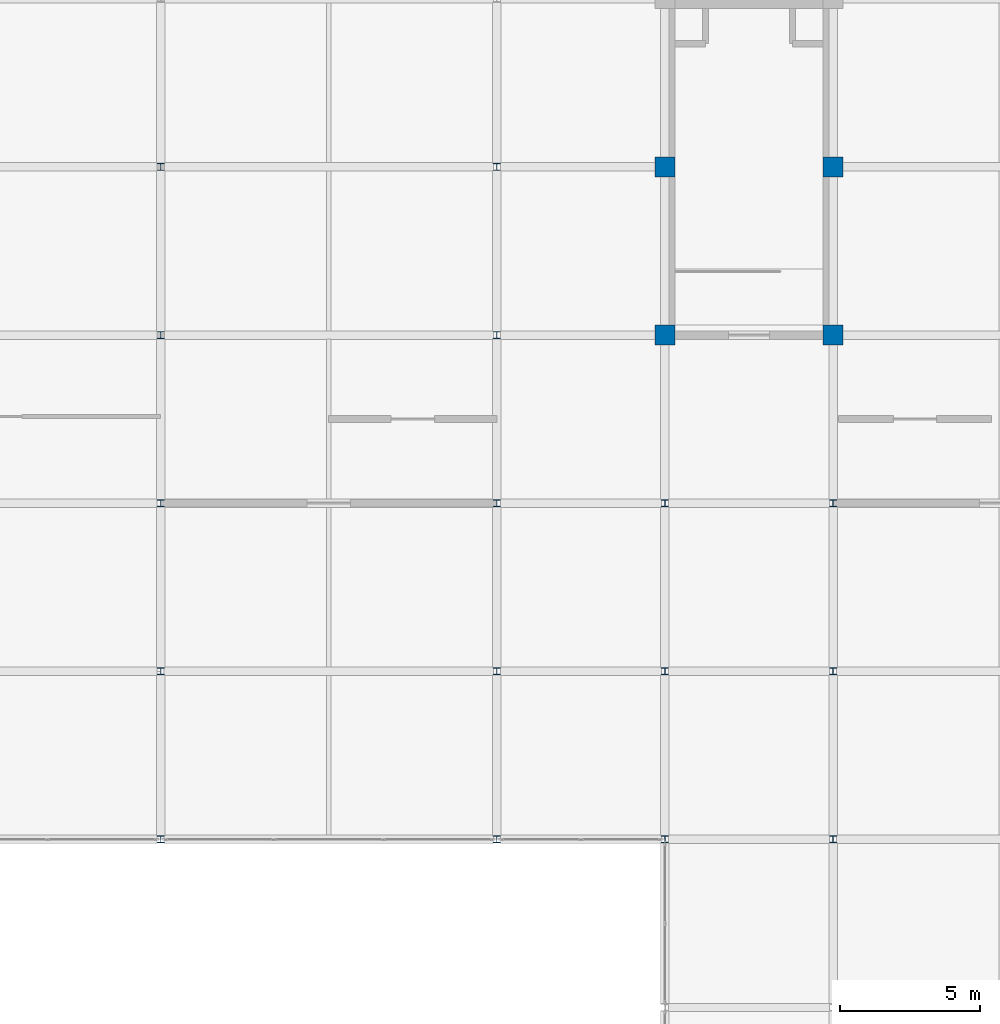
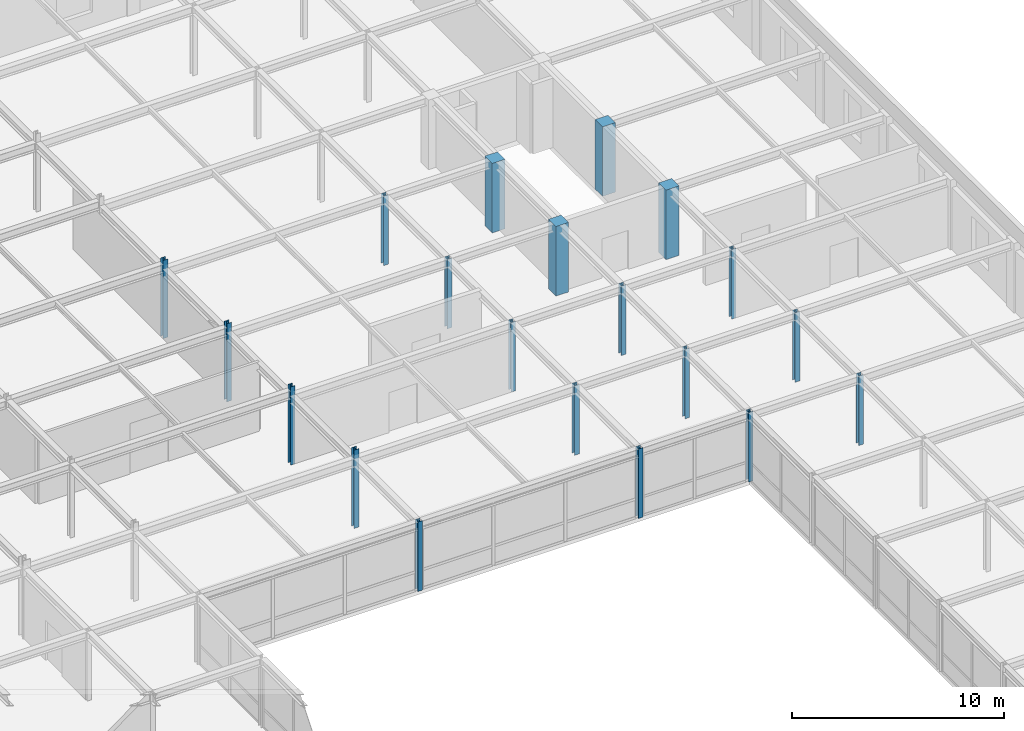
# One storey, part 25 of 111: 20 columns.
"""IFC4 building model written with IfcOpenShell, lengths in metres."""

from ifc_helpers import new_model, si_unit, direction, frame, origin, origin_2d, place, context, subcontext, project, spatial, rectangle, i_section, extrude, material, material_profile, profile_set, type_object, element, save


model = new_model("IFC4")

# Units and contexts
model_context = context("Model", 3, precision=1e-05, world=origin(), true_north=direction((0.0, 1.0)))
body_context = subcontext(model_context, "Body", "Model", "MODEL_VIEW")
ifc_project = project(units=[si_unit("LENGTHUNIT", "METRE"), si_unit("AREAUNIT", "SQUARE_METRE"), si_unit("VOLUMEUNIT", "CUBIC_METRE"), si_unit("PLANEANGLEUNIT", "RADIAN"), si_unit("MASSUNIT", "GRAM", prefix="KILO")], contexts=[model_context])

# Site, building, storey
site_placement = place(None, origin())
site = spatial("IfcSite", under=ifc_project, at=site_placement, CompositionType="ELEMENT")
building_placement = place(site_placement, origin())
building = spatial("IfcBuilding", under=site, at=building_placement, Name="Zlatovratsky Civic Hall", CompositionType="ELEMENT")
storey_placement = place(building_placement, frame((0.0, 0.0, 16.5)))
storey = spatial("IfcBuildingStorey", under=building, at=storey_placement, Name="L04", CompositionType="ELEMENT", Elevation=16.5)

# Columns
ifc_material_1 = material(Name="Concrete C35/45 (B40)", Category="concrete")
ifc_material_profile_1 = material_profile(ifc_material_1, rectangle(XDim=0.699951171875, YDim=0.699951171875, at=origin_2d()), Name="RC 700x700")
ifc_profile_set_1 = profile_set([ifc_material_profile_1], Name="Concrete C35/45 (B40)")
column_type_1 = type_object("IfcColumnType", Name="Col_CorePier_RC700", PredefinedType="COLUMN", material=ifc_profile_set_1)
for number, where, z_axis, x_axis, name in (
    (1, (150.0, 84.0, 0.0), (0.0, 0.0, 1.0), (1.0, 0.0, 0.0), "CL-1795"),
    (2, (156.0, 84.0, 0.0), (0.0, 0.0, 1.0), (1.0, 0.0, 0.0), "CL-1796"),
    (3, (150.0, 90.0, 0.0), (0.0, 0.0, 1.0), (1.0, 0.0, 0.0), "CL-1818"),
    (4, (156.0, 90.0, 0.0), (0.0, 0.0, 1.0), (1.0, 0.0, 0.0), "CL-1819"),
):
    element("IfcColumn", number, at=place(storey_placement, frame(where, z_axis=z_axis, x_axis=x_axis)), inside=storey, type_object=column_type_1, Name=name, PredefinedType="COLUMN", context=body_context, shape_type="SweptSolid", body=[
        extrude(rectangle(XDim=0.699951171875, YDim=0.699951171875, at=origin_2d()), origin(), (0.0, 0.0, 1.0), 4.0),
    ])
ifc_material_2 = material(Name="Steel S355", Category="steel")
ifc_material_profile_2 = material_profile(ifc_material_2, i_section(OverallWidth=0.25, OverallDepth=0.25, WebThickness=0.009033203125, FlangeThickness=0.013916015625, FilletRadius=0.01611328125, at=origin_2d()), Name="25K2")
ifc_profile_set_2 = profile_set([ifc_material_profile_2], Name="Steel S355")
column_type_2 = type_object("IfcColumnType", Name="Col_Steel_25K2", PredefinedType="COLUMN", material=ifc_profile_set_2)
for number, where, z_axis, x_axis, name in (
    (5, (132.0, 66.0, 0.0), (0.0, 0.0, 1.0), (1.0, 0.0, 0.0), "CL-1724"),
    (6, (144.0, 66.0, 0.0), (0.0, 0.0, 1.0), (1.0, 0.0, 0.0), "CL-1725"),
    (7, (150.0, 66.0, 0.0), (0.0, 0.0, 1.0), (1.0, 0.0, 0.0), "CL-1726"),
    (8, (156.0, 66.0, 0.0), (0.0, 0.0, 1.0), (1.0, 0.0, 0.0), "CL-1727"),
):
    element("IfcColumn", number, at=place(storey_placement, frame(where, z_axis=z_axis, x_axis=x_axis)), inside=storey, type_object=column_type_2, Name=name, PredefinedType="COLUMN", context=body_context, shape_type="SweptSolid", body=[
        extrude(i_section(OverallWidth=0.25, OverallDepth=0.25, WebThickness=0.009033203125, FlangeThickness=0.013916015625, FilletRadius=0.01611328125, at=origin_2d()), origin(), (0.0, 0.0, 1.0), 4.0),
    ])
column_1_placement = place(storey_placement, frame((132.0, 72.0, 0.0), z_axis=(0.0, 0.0, 1.0), x_axis=(1.0, 0.0, 0.0)))
element("IfcColumn", 9, at=column_1_placement, inside=storey, type_object=column_type_2, Name="CL-1747", PredefinedType="COLUMN", context=body_context, shape_type="SweptSolid", body=[
    extrude(i_section(OverallWidth=0.25, OverallDepth=0.25, WebThickness=0.009033203125, FlangeThickness=0.013916015625, FilletRadius=0.01611328125, at=origin_2d()), origin(), (0.0, 0.0, 1.0), 4.5),
])
for number, where, z_axis, x_axis, name in (
    (10, (144.0, 72.0, 0.0), (0.0, 0.0, 1.0), (1.0, 0.0, 0.0), "CL-1748"),
    (11, (150.0, 72.0, 0.0), (0.0, 0.0, 1.0), (1.0, 0.0, 0.0), "CL-1749"),
    (12, (156.0, 72.0, 0.0), (0.0, 0.0, 1.0), (1.0, 0.0, 0.0), "CL-1750"),
):
    element("IfcColumn", number, at=place(storey_placement, frame(where, z_axis=z_axis, x_axis=x_axis)), inside=storey, type_object=column_type_2, Name=name, PredefinedType="COLUMN", context=body_context, shape_type="SweptSolid", body=[
        extrude(i_section(OverallWidth=0.25, OverallDepth=0.25, WebThickness=0.009033203125, FlangeThickness=0.013916015625, FilletRadius=0.01611328125, at=origin_2d()), origin(), (0.0, 0.0, 1.0), 4.0),
    ])
column_2_placement = place(storey_placement, frame((132.0, 78.0, 0.0), z_axis=(0.0, 0.0, 1.0), x_axis=(1.0, 0.0, 0.0)))
element("IfcColumn", 13, at=column_2_placement, inside=storey, type_object=column_type_2, Name="CL-1770", PredefinedType="COLUMN", context=body_context, shape_type="SweptSolid", body=[
    extrude(i_section(OverallWidth=0.25, OverallDepth=0.25, WebThickness=0.009033203125, FlangeThickness=0.013916015625, FilletRadius=0.01611328125, at=origin_2d()), origin(), (0.0, 0.0, 1.0), 4.5),
])
for number, where, z_axis, x_axis, name in (
    (14, (144.0, 78.0, 0.0), (0.0, 0.0, 1.0), (1.0, 0.0, 0.0), "CL-1771"),
    (15, (150.0, 78.0, 0.0), (0.0, 0.0, 1.0), (1.0, 0.0, 0.0), "CL-1772"),
    (16, (156.0, 78.0, 0.0), (0.0, 0.0, 1.0), (1.0, 0.0, 0.0), "CL-1773"),
):
    element("IfcColumn", number, at=place(storey_placement, frame(where, z_axis=z_axis, x_axis=x_axis)), inside=storey, type_object=column_type_2, Name=name, PredefinedType="COLUMN", context=body_context, shape_type="SweptSolid", body=[
        extrude(i_section(OverallWidth=0.25, OverallDepth=0.25, WebThickness=0.009033203125, FlangeThickness=0.013916015625, FilletRadius=0.01611328125, at=origin_2d()), origin(), (0.0, 0.0, 1.0), 4.0),
    ])
column_3_placement = place(storey_placement, frame((132.0, 84.0, 0.0), z_axis=(0.0, 0.0, 1.0), x_axis=(1.0, 0.0, 0.0)))
element("IfcColumn", 17, at=column_3_placement, inside=storey, type_object=column_type_2, Name="CL-1793", PredefinedType="COLUMN", context=body_context, shape_type="SweptSolid", body=[
    extrude(i_section(OverallWidth=0.25, OverallDepth=0.25, WebThickness=0.009033203125, FlangeThickness=0.013916015625, FilletRadius=0.01611328125, at=origin_2d()), origin(), (0.0, 0.0, 1.0), 4.5),
])
column_4_placement = place(storey_placement, frame((144.0, 84.0, 0.0), z_axis=(0.0, 0.0, 1.0), x_axis=(1.0, 0.0, 0.0)))
element("IfcColumn", 18, at=column_4_placement, inside=storey, type_object=column_type_2, Name="CL-1794", PredefinedType="COLUMN", context=body_context, shape_type="SweptSolid", body=[
    extrude(i_section(OverallWidth=0.25, OverallDepth=0.25, WebThickness=0.009033203125, FlangeThickness=0.013916015625, FilletRadius=0.01611328125, at=origin_2d()), origin(), (0.0, 0.0, 1.0), 4.0),
])
column_5_placement = place(storey_placement, frame((132.0, 90.0, 0.0), z_axis=(0.0, 0.0, 1.0), x_axis=(1.0, 0.0, 0.0)))
element("IfcColumn", 19, at=column_5_placement, inside=storey, type_object=column_type_2, Name="CL-1816", PredefinedType="COLUMN", context=body_context, shape_type="SweptSolid", body=[
    extrude(i_section(OverallWidth=0.25, OverallDepth=0.25, WebThickness=0.009033203125, FlangeThickness=0.013916015625, FilletRadius=0.01611328125, at=origin_2d()), origin(), (0.0, 0.0, 1.0), 4.5),
])
column_6_placement = place(storey_placement, frame((144.0, 90.0, 0.0), z_axis=(0.0, 0.0, 1.0), x_axis=(1.0, 0.0, 0.0)))
element("IfcColumn", 20, at=column_6_placement, inside=storey, type_object=column_type_2, Name="CL-1817", PredefinedType="COLUMN", context=body_context, shape_type="SweptSolid", body=[
    extrude(i_section(OverallWidth=0.25, OverallDepth=0.25, WebThickness=0.009033203125, FlangeThickness=0.013916015625, FilletRadius=0.01611328125, at=origin_2d()), origin(), (0.0, 0.0, 1.0), 4.0),
])

save(model, "model.ifc")
